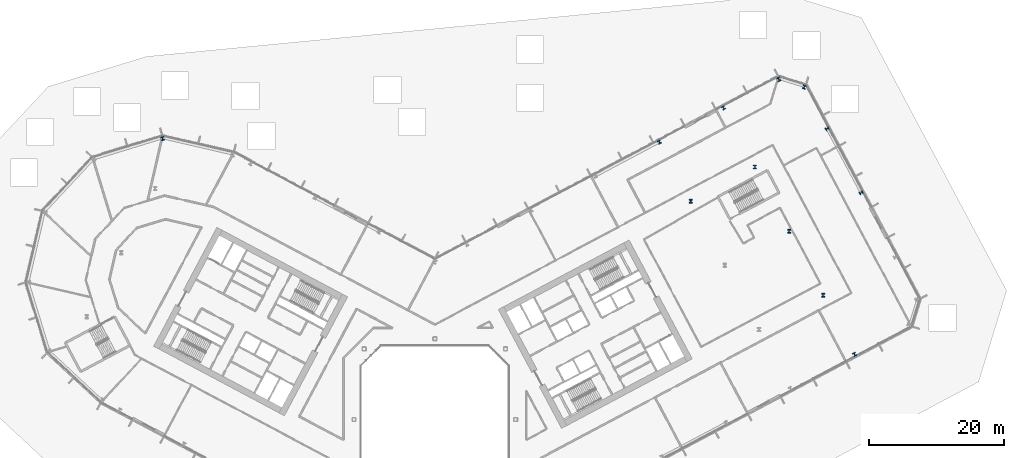
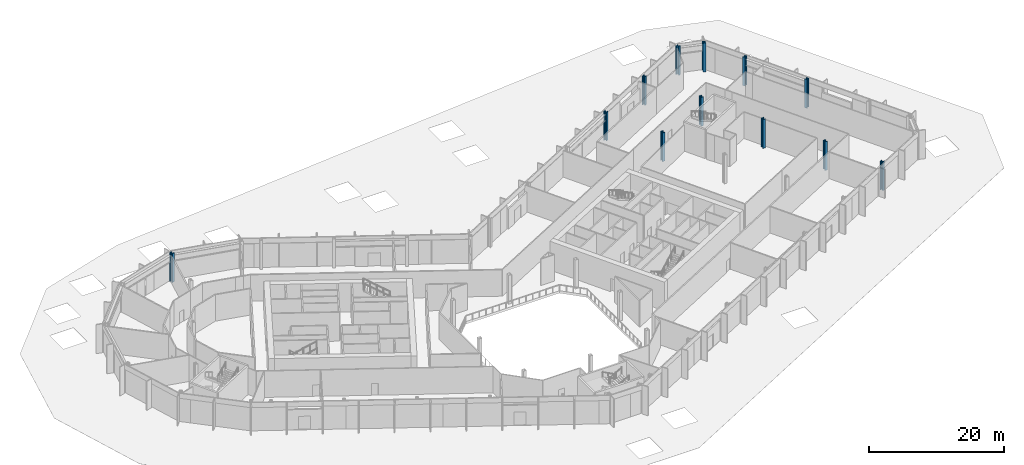
# One storey, part 4 of 30: 12 columns.
"""IFC4 building model written with IfcOpenShell, lengths in metres."""

from ifc_helpers import new_model, si_unit, direction, frame, origin, origin_2d, place, context, subcontext, project, spatial, i_section, extrude, material, material_profile, profile_set, type_object, element, save


model = new_model("IFC4")

# Units and contexts
model_context = context("Model", 3, precision=1e-05, world=origin(), true_north=direction((0.0, 1.0)))
body_context = subcontext(model_context, "Body", "Model", "MODEL_VIEW")
ifc_project = project(units=[si_unit("LENGTHUNIT", "METRE"), si_unit("AREAUNIT", "SQUARE_METRE"), si_unit("VOLUMEUNIT", "CUBIC_METRE"), si_unit("PLANEANGLEUNIT", "RADIAN"), si_unit("MASSUNIT", "GRAM", prefix="KILO")], contexts=[model_context])

# Site, building, storey
site_placement = place(None, origin())
site = spatial("IfcSite", under=ifc_project, at=site_placement, CompositionType="ELEMENT")
building_placement = place(site_placement, origin())
building = spatial("IfcBuilding", under=site, at=building_placement, Name="Cormorant Relay Tower", CompositionType="ELEMENT")
storey_placement = place(building_placement, frame((0.0, 0.0, 7.0)))
storey = spatial("IfcBuildingStorey", under=building, at=storey_placement, Name="L01", CompositionType="ELEMENT", Elevation=7.0)

# Columns
ifc_material_1 = material(Name="Steel ASTM A992 (Fy 345 MPa)", Category="steel")
ifc_material_profile_1 = material_profile(ifc_material_1, i_section(OverallWidth=0.45458984375, OverallDepth=0.569091796875, WebThickness=0.077880859375, FlangeThickness=0.124755859375, FilletRadius=0.015380859375, at=origin_2d()), Name="W360x1086")
ifc_profile_set_1 = profile_set([ifc_material_profile_1], Name="Steel ASTM A992 (Fy 345 MPa)")
column_type_1 = type_object("IfcColumnType", Name="Column W360x1086", PredefinedType="COLUMN", material=ifc_profile_set_1)
for number, where, z_axis, x_axis, name in (
    (1, (57.694091796875, 18.445068359375, 0.0), (0.0, 0.0, 1.0), (1.0, 0.0, 0.0), "Column L01-029"),
    (2, (52.6240234375, 27.98095703125, 0.0), (0.0, 0.0, 1.0), (1.0, 0.0, 0.0), "Column L01-037"),
    (3, (38.01806640625, 32.446044921875, 0.0), (0.0, 0.0, 1.0), (1.0, 0.0, 0.0), "Column L01-040"),
    (4, (47.552978515625, 37.51611328125, 0.0), (0.0, 0.0, 1.0), (1.0, 0.0, 0.0), "Column L01-045"),
    (5, (-40.451904296875, 41.73388671875, 0.0), (0.0, 0.0, 1.0), (-0.956304755963, -0.292371704723, 0.0), "Column L01-050"),
    (6, (54.866943359375, 49.385986328125, 0.0), (0.0, 0.0, 1.0), (-0.956304755963, 0.292371704723, 0.0), "Column L01-053"),
    (7, (51.10302734375, 50.537109375, 0.0), (0.0, 0.0, 1.0), (-0.882947592859, -0.469471562786, 0.0), "Column L01-054"),
):
    element("IfcColumn", number, at=place(storey_placement, frame(where, z_axis=z_axis, x_axis=x_axis)), inside=storey, type_object=column_type_1, Name=name, PredefinedType="COLUMN", context=body_context, shape_type="SweptSolid", body=[
        extrude(i_section(OverallWidth=0.45458984375, OverallDepth=0.569091796875, WebThickness=0.077880859375, FlangeThickness=0.124755859375, FilletRadius=0.015380859375, at=origin_2d()), origin(), (0.0, 0.0, 1.0), 5.199951171875),
    ])
ifc_material_2 = material(Name="Steel ASTM A992 (Fy 345 MPa)", Category="steel")
ifc_material_profile_2 = material_profile(ifc_material_2, i_section(OverallWidth=0.43701171875, OverallDepth=0.51318359375, WebThickness=0.060546875, FlangeThickness=0.096923828125, FilletRadius=0.015380859375, at=origin_2d()), Name="W360x818")
ifc_profile_set_2 = profile_set([ifc_material_profile_2], Name="Steel ASTM A992 (Fy 345 MPa)")
column_type_2 = type_object("IfcColumnType", Name="Column W360x818", PredefinedType="COLUMN", material=ifc_profile_set_2)
for number, where, z_axis, x_axis, name in (
    (8, (62.361083984375, 9.66796875, 0.0), (0.0, 0.0, 1.0), (0.882947592859, 0.469471562786, 0.0), "Column L01-020"),
    (9, (63.343017578125, 33.679931640625, 0.0), (0.0, 0.0, 1.0), (-0.469471562786, 0.882947592859, 0.0), "Column L01-042"),
    (10, (33.35107421875, 41.222900390625, 0.0), (0.0, 0.0, 1.0), (-0.882947592859, -0.469471562786, 0.0), "Column L01-049"),
    (11, (58.27197265625, 43.216064453125, 0.0), (0.0, 0.0, 1.0), (-0.469471562786, 0.882947592859, 0.0), "Column L01-051"),
    (12, (42.886962890625, 46.29296875, 0.0), (0.0, 0.0, 1.0), (-0.882947592859, -0.469471562786, 0.0), "Column L01-052"),
):
    element("IfcColumn", number, at=place(storey_placement, frame(where, z_axis=z_axis, x_axis=x_axis)), inside=storey, type_object=column_type_2, Name=name, PredefinedType="COLUMN", context=body_context, shape_type="SweptSolid", body=[
        extrude(i_section(OverallWidth=0.43701171875, OverallDepth=0.51318359375, WebThickness=0.060546875, FlangeThickness=0.096923828125, FilletRadius=0.015380859375, at=origin_2d()), origin(), (0.0, 0.0, 1.0), 5.199951171875),
    ])

save(model, "model.ifc")
